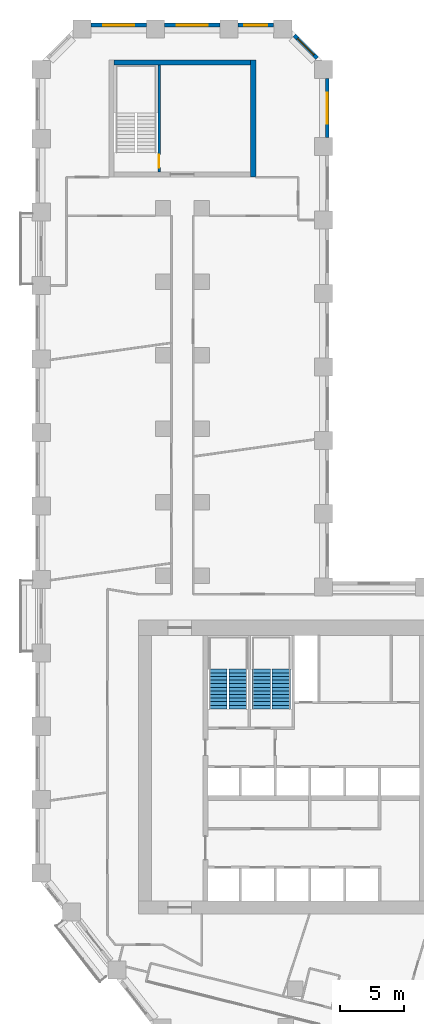
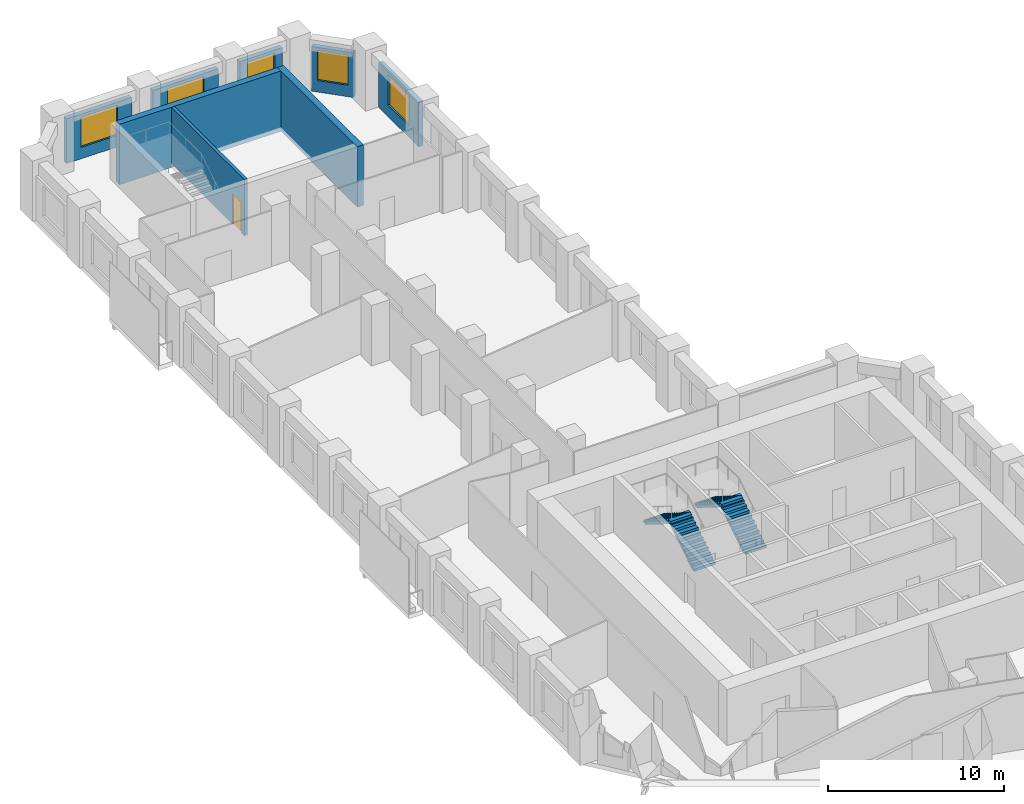
# One storey, part 10 of 12: 8 walls, 5 windows, 4 stair flights, 1 door, 6 openings, 2 elements without a shape of their own.
"""IFC4 building model written with IfcOpenShell, lengths in metres."""

from ifc_helpers import new_model, si_unit, direction, frame, frame_2d, origin, place, context, subcontext, project, spatial, polyline, rectangle, outline, extrude, material, layer, layer_set, type_object, element, fill, aggregate, save


model = new_model("IFC4")

# Units and contexts
model_context = context("Model", 3, precision=1e-05, world=origin(), true_north=direction((0.0, 1.0)))
body_context = subcontext(model_context, "Body", "Model", "MODEL_VIEW")
ifc_project = project(units=[si_unit("LENGTHUNIT", "METRE"), si_unit("AREAUNIT", "SQUARE_METRE"), si_unit("VOLUMEUNIT", "CUBIC_METRE"), si_unit("PLANEANGLEUNIT", "RADIAN"), si_unit("MASSUNIT", "GRAM", prefix="KILO")], contexts=[model_context])

# Site, building, storey
site_placement = place(None, origin())
site = spatial("IfcSite", under=ifc_project, at=site_placement, CompositionType="ELEMENT")
building_placement = place(site_placement, origin())
building = spatial("IfcBuilding", under=site, at=building_placement, Name="Meshkara Civic Tower", CompositionType="ELEMENT")
storey_placement = place(building_placement, frame((0.0, 0.0, 58.199951171875)))
storey = spatial("IfcBuildingStorey", under=building, at=storey_placement, Name="L12", CompositionType="ELEMENT", Elevation=58.199951171875)

# Wall, opening, window
ifc_material_1 = material(Name="Insulated infill panel with bronze anodised aluminium cladding", Category="aluminium")
ifc_layer_1 = layer(ifc_material_1, 0.300048828125)
ifc_layer_set_1 = layer_set([ifc_layer_1], Name="EXTERNAL INFILL WALL 300")
wall_type_1 = type_object("IfcWallType", Name="EXTERNAL INFILL WALL 300", PredefinedType="SOLIDWALL", material=ifc_layer_set_1)
wall_1_placement = place(storey_placement, frame((22.64990234375, 74.35009765625, 0.0), z_axis=(0.0, 0.0, 1.0), x_axis=(0.0, 1.0, 0.0)))
wall_1 = element("IfcWall", 1, at=wall_1_placement, inside=storey, type_object=wall_type_1, Name="External wall", PredefinedType="SOLIDWALL", context=body_context, shape_type="SweptSolid", body=[
    extrude(rectangle(XDim=4.56396484375, YDim=0.300048828125, at=frame_2d((2.281982421875, 0.0))), origin(), (0.0, 0.0, 1.0), 3.10009765625),
])
opening_1_placement = place(wall_1_placement, frame((1.08203125, 0.0, 0.800048828125)))
opening_1 = element("IfcOpeningElement", 2, at=opening_1_placement, cuts=wall_1, Name="Opening W7", PredefinedType="OPENING", context=body_context, shape_type="SweptSolid", body=[
    extrude(rectangle(XDim=2.39990234375, YDim=2.10009765625, at=frame_2d((1.199951171875, 1.050048828125))), frame((0.0, 0.159912109375, 0.0), z_axis=(0.0, -1.0, 0.0), x_axis=(1.0, 0.0, 0.0)), (0.0, 0.0, 1.0), 0.320068359375),
])
ifc_material_2 = material(Name="Tinted double glazing", Category="glass")
window_type_1 = type_object("IfcWindowType", Name="WINDOW 2400x2100", PartitioningType="DOUBLE_PANEL_VERTICAL", PredefinedType="WINDOW", material=ifc_material_2)
window_1_placement = place(opening_1_placement, origin())
window_1 = element("IfcWindow", 3, at=window_1_placement, inside=storey, type_object=window_type_1, Name="Window", OverallHeight=2.10009765625, OverallWidth=2.39990234375, PartitioningType="DOUBLE_PANEL_VERTICAL", PredefinedType="WINDOW", context=body_context, shape_type="SweptSolid", body=[
    extrude(rectangle(XDim=2.39990234375, YDim=2.10009765625, at=frame_2d((1.199951171875, 1.050048828125))), frame((0.0, 0.030029296875, 0.0), z_axis=(0.0, -1.0, 0.0), x_axis=(1.0, 0.0, 0.0)), (0.0, 0.0, 1.0), 0.06005859375),
])
fill(opening_1, window_1)

wall_2_placement = place(storey_placement, frame((21.862060546875, 80.52587890625, 0.0), z_axis=(0.0, 0.0, 1.0), x_axis=(-0.707106781187, 0.707106781187, 0.0)))
wall_2 = element("IfcWall", 4, at=wall_2_placement, inside=storey, type_object=wall_type_1, Name="External wall", PredefinedType="SOLIDWALL", context=body_context, shape_type="SweptSolid", body=[
    extrude(rectangle(XDim=2.4833984375, YDim=0.300048828125, at=frame_2d((1.24169921875, 0.0))), origin(), (0.0, 0.0, 1.0), 3.10009765625),
])
opening_2_placement = place(wall_2_placement, frame((0.342041015625, 0.0, 0.800048828125)))
opening_2 = element("IfcOpeningElement", 5, at=opening_2_placement, cuts=wall_2, Name="Opening W9", PredefinedType="OPENING", context=body_context, shape_type="SweptSolid", body=[
    extrude(rectangle(XDim=1.800048828125, YDim=2.10009765625, at=frame_2d((0.89990234375, 1.050048828125))), frame((0.0, 0.159912109375, 0.0), z_axis=(0.0, -1.0, 0.0), x_axis=(1.0, 0.0, 0.0)), (0.0, 0.0, 1.0), 0.320068359375),
])
ifc_material_3 = material(Name="Tinted double glazing", Category="glass")
window_type_2 = type_object("IfcWindowType", Name="WINDOW 1800x2100", PartitioningType="DOUBLE_PANEL_VERTICAL", PredefinedType="WINDOW", material=ifc_material_3)
window_2_placement = place(opening_2_placement, origin())
window_2 = element("IfcWindow", 6, at=window_2_placement, inside=storey, type_object=window_type_2, Name="Window", OverallHeight=2.10009765625, OverallWidth=1.800048828125, PartitioningType="DOUBLE_PANEL_VERTICAL", PredefinedType="WINDOW", context=body_context, shape_type="SweptSolid", body=[
    extrude(rectangle(XDim=1.800048828125, YDim=2.10009765625, at=frame_2d((0.89990234375, 1.050048828125))), frame((0.0, 0.030029296875, 0.0), z_axis=(0.0, -1.0, 0.0), x_axis=(1.0, 0.0, 0.0)), (0.0, 0.0, 1.0), 0.06005859375),
])
fill(opening_2, window_2)

wall_3_placement = place(storey_placement, frame((18.493896484375, 83.070068359375, 0.0), z_axis=(0.0, 0.0, 1.0), x_axis=(-1.0, 0.0, 0.0)))
wall_3 = element("IfcWall", 7, at=wall_3_placement, inside=storey, type_object=wall_type_1, Name="External wall", PredefinedType="SOLIDWALL", context=body_context, shape_type="SweptSolid", body=[
    extrude(rectangle(XDim=2.787841796875, YDim=0.300048828125, at=frame_2d((1.39404296875, 0.0))), origin(), (0.0, 0.0, 1.0), 3.10009765625),
])
opening_3_placement = place(wall_3_placement, frame((0.493896484375, 0.0, 0.800048828125)))
opening_3 = element("IfcOpeningElement", 8, at=opening_3_placement, cuts=wall_3, Name="Opening W9", PredefinedType="OPENING", context=body_context, shape_type="SweptSolid", body=[
    extrude(rectangle(XDim=1.800048828125, YDim=2.10009765625, at=frame_2d((0.89990234375, 1.050048828125))), frame((0.0, 0.159912109375, 0.0), z_axis=(0.0, -1.0, 0.0), x_axis=(1.0, 0.0, 0.0)), (0.0, 0.0, 1.0), 0.320068359375),
])
window_3_placement = place(opening_3_placement, origin())
window_3 = element("IfcWindow", 9, at=window_3_placement, inside=storey, type_object=window_type_2, Name="Window", OverallHeight=2.10009765625, OverallWidth=1.800048828125, PartitioningType="DOUBLE_PANEL_VERTICAL", PredefinedType="WINDOW", context=body_context, shape_type="SweptSolid", body=[
    extrude(rectangle(XDim=1.800048828125, YDim=2.10009765625, at=frame_2d((0.89990234375, 1.050048828125))), frame((0.0, 0.030029296875, 0.0), z_axis=(0.0, -1.0, 0.0), x_axis=(1.0, 0.0, 0.0)), (0.0, 0.0, 1.0), 0.06005859375),
])
fill(opening_3, window_3)

wall_4_placement = place(storey_placement, frame((14.305908203125, 83.070068359375, 0.0), z_axis=(0.0, 0.0, 1.0), x_axis=(-1.0, 0.0, 0.0)))
wall_4 = element("IfcWall", 10, at=wall_4_placement, inside=storey, type_object=wall_type_1, Name="External wall", PredefinedType="SOLIDWALL", context=body_context, shape_type="SweptSolid", body=[
    extrude(rectangle(XDim=4.2998046875, YDim=0.300048828125, at=frame_2d((2.14990234375, 0.0))), origin(), (0.0, 0.0, 1.0), 3.10009765625),
])
opening_4_placement = place(wall_4_placement, frame((0.949951171875, 0.0, 0.800048828125)))
opening_4 = element("IfcOpeningElement", 11, at=opening_4_placement, cuts=wall_4, Name="Opening W7", PredefinedType="OPENING", context=body_context, shape_type="SweptSolid", body=[
    extrude(rectangle(XDim=2.39990234375, YDim=2.10009765625, at=frame_2d((1.199951171875, 1.050048828125))), frame((0.0, 0.159912109375, 0.0), z_axis=(0.0, -1.0, 0.0), x_axis=(1.0, 0.0, 0.0)), (0.0, 0.0, 1.0), 0.320068359375),
])
window_4_placement = place(opening_4_placement, origin())
window_4 = element("IfcWindow", 12, at=window_4_placement, inside=storey, type_object=window_type_1, Name="Window", OverallHeight=2.10009765625, OverallWidth=2.39990234375, PartitioningType="DOUBLE_PANEL_VERTICAL", PredefinedType="WINDOW", context=body_context, shape_type="SweptSolid", body=[
    extrude(rectangle(XDim=2.39990234375, YDim=2.10009765625, at=frame_2d((1.199951171875, 1.050048828125))), frame((0.0, 0.030029296875, 0.0), z_axis=(0.0, -1.0, 0.0), x_axis=(1.0, 0.0, 0.0)), (0.0, 0.0, 1.0), 0.06005859375),
])
fill(opening_4, window_4)

wall_5_placement = place(storey_placement, frame((8.60595703125, 83.070068359375, 0.0), z_axis=(0.0, 0.0, 1.0), x_axis=(-1.0, 0.0, 0.0)))
wall_5 = element("IfcWall", 13, at=wall_5_placement, inside=storey, type_object=wall_type_1, Name="External wall", PredefinedType="SOLIDWALL", context=body_context, shape_type="SweptSolid", body=[
    extrude(rectangle(XDim=4.300048828125, YDim=0.300048828125, at=frame_2d((2.14990234375, 0.0))), origin(), (0.0, 0.0, 1.0), 3.10009765625),
])
opening_5_placement = place(wall_5_placement, frame((0.949951171875, 0.0, 0.800048828125)))
opening_5 = element("IfcOpeningElement", 14, at=opening_5_placement, cuts=wall_5, Name="Opening W7", PredefinedType="OPENING", context=body_context, shape_type="SweptSolid", body=[
    extrude(rectangle(XDim=2.39990234375, YDim=2.10009765625, at=frame_2d((1.199951171875, 1.050048828125))), frame((0.0, 0.159912109375, 0.0), z_axis=(0.0, -1.0, 0.0), x_axis=(1.0, 0.0, 0.0)), (0.0, 0.0, 1.0), 0.320068359375),
])
window_5_placement = place(opening_5_placement, origin())
window_5 = element("IfcWindow", 15, at=window_5_placement, inside=storey, type_object=window_type_1, Name="Window", OverallHeight=2.10009765625, OverallWidth=2.39990234375, PartitioningType="DOUBLE_PANEL_VERTICAL", PredefinedType="WINDOW", context=body_context, shape_type="SweptSolid", body=[
    extrude(rectangle(XDim=2.39990234375, YDim=2.10009765625, at=frame_2d((1.199951171875, 1.050048828125))), frame((0.0, 0.030029296875, 0.0), z_axis=(0.0, -1.0, 0.0), x_axis=(1.0, 0.0, 0.0)), (0.0, 0.0, 1.0), 0.06005859375),
])
fill(opening_5, window_5)

# Walls
ifc_material_4 = material(Name="Concrete C80", Category="concrete")
ifc_layer_2 = layer(ifc_material_4, 0.39990234375)
ifc_layer_set_2 = layer_set([ifc_layer_2], Name="End core ring wall 400 C80")
wall_type_2 = type_object("IfcWallType", Name="End core ring wall 400 C80", PredefinedType="SHEAR", material=ifc_layer_set_2)
wall_6_placement = place(storey_placement, frame((16.89990234375, 71.27001953125, -0.300048828125), z_axis=(0.0, 0.0, 1.0), x_axis=(0.0, 1.0, 0.0)))
element("IfcWall", 16, at=wall_6_placement, inside=storey, type_object=wall_type_2, Name="L12-C027", PredefinedType="SHEAR", context=body_context, shape_type="SweptSolid", body=[
    extrude(rectangle(XDim=9.10009765625, YDim=0.39990234375, at=frame_2d((4.550048828125, 0.0))), origin(), (0.0, 0.0, 1.0), 4.2001953125),
])
wall_7_placement = place(storey_placement, frame((6.10009765625, 80.169921875, -0.300048828125), z_axis=(0.0, 0.0, 1.0), x_axis=(1.0, 0.0, 0.0)))
element("IfcWall", 17, at=wall_7_placement, inside=storey, type_object=wall_type_2, Name="L12-C029", PredefinedType="SHEAR", context=body_context, shape_type="SweptSolid", body=[
    extrude(rectangle(XDim=10.599853515625, YDim=0.39990234375, at=frame_2d((5.2998046875, 0.0))), origin(), (0.0, 0.0, 1.0), 4.2001953125),
])

# Wall, opening, door
ifc_material_5 = material(Name="Concrete C40/50", Category="concrete")
ifc_layer_3 = layer(ifc_material_5, 0.199951171875)
ifc_layer_set_3 = layer_set([ifc_layer_3], Name="Stair enclosure wall 200 C40/50")
wall_type_3 = type_object("IfcWallType", Name="Stair enclosure wall 200 C40/50", PredefinedType="SOLIDWALL", material=ifc_layer_set_3)
wall_8_placement = place(storey_placement, frame((9.60009765625, 71.669921875, 0.0), z_axis=(0.0, 0.0, 1.0), x_axis=(0.0, 1.0, 0.0)))
wall_8 = element("IfcWall", 18, at=wall_8_placement, inside=storey, type_object=wall_type_3, Name="L12-C030", PredefinedType="SOLIDWALL", context=body_context, shape_type="SweptSolid", body=[
    extrude(rectangle(XDim=8.300048828125, YDim=0.199951171875, at=frame_2d((4.14990234375, 0.0))), origin(), (0.0, 0.0, 1.0), 3.900146484375),
])
opening_6_placement = place(wall_8_placement, frame((0.35009765625, 0.0, 0.0)))
opening_6 = element("IfcOpeningElement", 19, at=opening_6_placement, cuts=wall_8, Name="Opening L12-K101", PredefinedType="OPENING", context=body_context, shape_type="SweptSolid", body=[
    extrude(rectangle(XDim=1.0, YDim=2.10009765625, at=frame_2d((0.5, 1.050048828125))), frame((0.0, 0.10986328125, 0.0), z_axis=(0.0, -1.0, 0.0), x_axis=(1.0, 0.0, 0.0)), (0.0, 0.0, 1.0), 0.219970703125),
])
ifc_material_6 = material(Name="Fire-rated door leaf in steel frame", Category="steel")
door_type = type_object("IfcDoorType", Name="Stair door 1000 EI 120", OperationType="SINGLE_SWING_LEFT", PredefinedType="DOOR", material=ifc_material_6)
door_placement = place(opening_6_placement, origin())
door = element("IfcDoor", 20, at=door_placement, inside=storey, type_object=door_type, Name="L12-K101", OperationType="SINGLE_SWING_RIGHT", OverallHeight=2.10009765625, OverallWidth=1.0, PredefinedType="DOOR", context=body_context, shape_type="SweptSolid", body=[
    extrude(rectangle(XDim=1.0, YDim=2.10009765625, at=frame_2d((0.5, 1.050048828125))), frame((0.0, 0.02490234375, 0.0), z_axis=(0.0, -1.0, 0.0), x_axis=(1.0, 0.0, 0.0)), (0.0, 0.0, 1.0), 0.050048828125),
])
fill(opening_6, door)

# Stair, stair flights
ifc_material_7 = material(Name="Precast concrete C40/50", Category="concrete")
stair_type = type_object("IfcStairType", Name="Exit stair half-turn 24 risers precast", PredefinedType="HALF_TURN_STAIR", material=ifc_material_7)
stair_1_placement = place(storey_placement, origin())
stair_1 = element("IfcStair", 21, at=stair_1_placement, inside=storey, type_object=stair_type, Name="L12 exit stair 1", PredefinedType="HALF_TURN_STAIR")
ifc_material_8 = material(Name="Precast concrete C40/50", Category="concrete")
stair_flight_type = type_object("IfcStairFlightType", Name="Exit stair flight 12 risers precast", PredefinedType="STRAIGHT", material=ifc_material_8)
stair_flight_1_placement = place(storey_placement, frame((15.72509765625, 30.0, 0.0), z_axis=(0.0, 0.0, 1.0), x_axis=(0.0, 1.0, 0.0)))
stair_flight_1 = element("IfcStairFlight", 22, at=stair_flight_1_placement, type_object=stair_flight_type, Name="ST1 flight 1", NumberOfRisers=12, NumberOfTreads=11, PredefinedType="STRAIGHT", RiserHeight=0.175, TreadLength=0.28, context=body_context, shape_type="SweptSolid", body=[
    extrude(outline(polyline([(0.0, 0.0), (0.0, 0.175048828125), (0.280029296875, 0.175048828125), (0.280029296875, 0.35009765625), (0.56005859375, 0.35009765625), (0.56005859375, 0.52490234375), (0.840087890625, 0.52490234375), (0.840087890625, 0.699951171875), (1.1201171875, 0.699951171875), (1.1201171875, 0.875), (1.39990234375, 0.875), (1.39990234375, 1.050048828125), (1.679931640625, 1.050048828125), (1.679931640625, 1.22509765625), (1.9599609375, 1.22509765625), (1.9599609375, 1.39990234375), (2.239990234375, 1.39990234375), (2.239990234375, 1.574951171875), (2.52001953125, 1.574951171875), (2.52001953125, 1.75), (2.800048828125, 1.75), (2.800048828125, 1.925048828125), (3.080078125, 1.925048828125), (3.080078125, 2.10009765625), (3.080078125, 1.748291015625), (0.28271484375, 0.0), (0.0, 0.0)])), frame((0.0, 0.699951171875, 0.0), z_axis=(0.0, -1.0, 0.0), x_axis=(1.0, 0.0, 0.0)), (0.0, 0.0, 1.0), 1.39990234375),
])
stair_flight_2_placement = place(storey_placement, frame((14.175048828125, 33.080078125, 2.10009765625), z_axis=(0.0, 0.0, 1.0), x_axis=(0.0, -1.0, 0.0)))
stair_flight_2 = element("IfcStairFlight", 23, at=stair_flight_2_placement, type_object=stair_flight_type, Name="ST1 flight 2", NumberOfRisers=12, NumberOfTreads=11, PredefinedType="STRAIGHT", RiserHeight=0.175, TreadLength=0.28, context=body_context, shape_type="SweptSolid", body=[
    extrude(outline(polyline([(0.0, 0.0), (0.0, 0.175048828125), (0.280029296875, 0.175048828125), (0.280029296875, 0.35009765625), (0.56005859375, 0.35009765625), (0.56005859375, 0.52490234375), (0.840087890625, 0.52490234375), (0.840087890625, 0.699951171875), (1.1201171875, 0.699951171875), (1.1201171875, 0.875), (1.39990234375, 0.875), (1.39990234375, 1.050048828125), (1.679931640625, 1.050048828125), (1.679931640625, 1.22509765625), (1.9599609375, 1.22509765625), (1.9599609375, 1.39990234375), (2.239990234375, 1.39990234375), (2.239990234375, 1.574951171875), (2.52001953125, 1.574951171875), (2.52001953125, 1.75), (2.800048828125, 1.75), (2.800048828125, 1.925048828125), (3.080078125, 1.925048828125), (3.080078125, 2.10009765625), (3.080078125, 1.748291015625), (0.28271484375, 0.0), (0.0, 0.0)])), frame((0.0, 0.699951171875, 0.0), z_axis=(0.0, -1.0, 0.0), x_axis=(1.0, 0.0, 0.0)), (0.0, 0.0, 1.0), 1.39990234375),
])
aggregate(stair_1, [stair_flight_1, stair_flight_2])

stair_2_placement = place(storey_placement, origin())
stair_2 = element("IfcStair", 24, at=stair_2_placement, inside=storey, type_object=stair_type, Name="L12 exit stair 2", PredefinedType="HALF_TURN_STAIR")
stair_flight_3_placement = place(storey_placement, frame((19.074951171875, 30.0, 0.0), z_axis=(0.0, 0.0, 1.0), x_axis=(0.0, 1.0, 0.0)))
stair_flight_3 = element("IfcStairFlight", 25, at=stair_flight_3_placement, type_object=stair_flight_type, Name="ST2 flight 1", NumberOfRisers=12, NumberOfTreads=11, PredefinedType="STRAIGHT", RiserHeight=0.175, TreadLength=0.28, context=body_context, shape_type="SweptSolid", body=[
    extrude(outline(polyline([(0.0, 0.0), (0.0, 0.175048828125), (0.280029296875, 0.175048828125), (0.280029296875, 0.35009765625), (0.56005859375, 0.35009765625), (0.56005859375, 0.52490234375), (0.840087890625, 0.52490234375), (0.840087890625, 0.699951171875), (1.1201171875, 0.699951171875), (1.1201171875, 0.875), (1.39990234375, 0.875), (1.39990234375, 1.050048828125), (1.679931640625, 1.050048828125), (1.679931640625, 1.22509765625), (1.9599609375, 1.22509765625), (1.9599609375, 1.39990234375), (2.239990234375, 1.39990234375), (2.239990234375, 1.574951171875), (2.52001953125, 1.574951171875), (2.52001953125, 1.75), (2.800048828125, 1.75), (2.800048828125, 1.925048828125), (3.080078125, 1.925048828125), (3.080078125, 2.10009765625), (3.080078125, 1.748291015625), (0.28271484375, 0.0), (0.0, 0.0)])), frame((0.0, 0.699951171875, 0.0), z_axis=(0.0, -1.0, 0.0), x_axis=(1.0, 0.0, 0.0)), (0.0, 0.0, 1.0), 1.39990234375),
])
stair_flight_4_placement = place(storey_placement, frame((17.52490234375, 33.080078125, 2.10009765625), z_axis=(0.0, 0.0, 1.0), x_axis=(0.0, -1.0, 0.0)))
stair_flight_4 = element("IfcStairFlight", 26, at=stair_flight_4_placement, type_object=stair_flight_type, Name="ST2 flight 2", NumberOfRisers=12, NumberOfTreads=11, PredefinedType="STRAIGHT", RiserHeight=0.175, TreadLength=0.28, context=body_context, shape_type="SweptSolid", body=[
    extrude(outline(polyline([(0.0, 0.0), (0.0, 0.175048828125), (0.280029296875, 0.175048828125), (0.280029296875, 0.35009765625), (0.56005859375, 0.35009765625), (0.56005859375, 0.52490234375), (0.840087890625, 0.52490234375), (0.840087890625, 0.699951171875), (1.1201171875, 0.699951171875), (1.1201171875, 0.875), (1.39990234375, 0.875), (1.39990234375, 1.050048828125), (1.679931640625, 1.050048828125), (1.679931640625, 1.22509765625), (1.9599609375, 1.22509765625), (1.9599609375, 1.39990234375), (2.239990234375, 1.39990234375), (2.239990234375, 1.574951171875), (2.52001953125, 1.574951171875), (2.52001953125, 1.75), (2.800048828125, 1.75), (2.800048828125, 1.925048828125), (3.080078125, 1.925048828125), (3.080078125, 2.10009765625), (3.080078125, 1.748291015625), (0.28271484375, 0.0), (0.0, 0.0)])), frame((0.0, 0.699951171875, 0.0), z_axis=(0.0, -1.0, 0.0), x_axis=(1.0, 0.0, 0.0)), (0.0, 0.0, 1.0), 1.39990234375),
])
aggregate(stair_2, [stair_flight_3, stair_flight_4])

save(model, "model.ifc")
